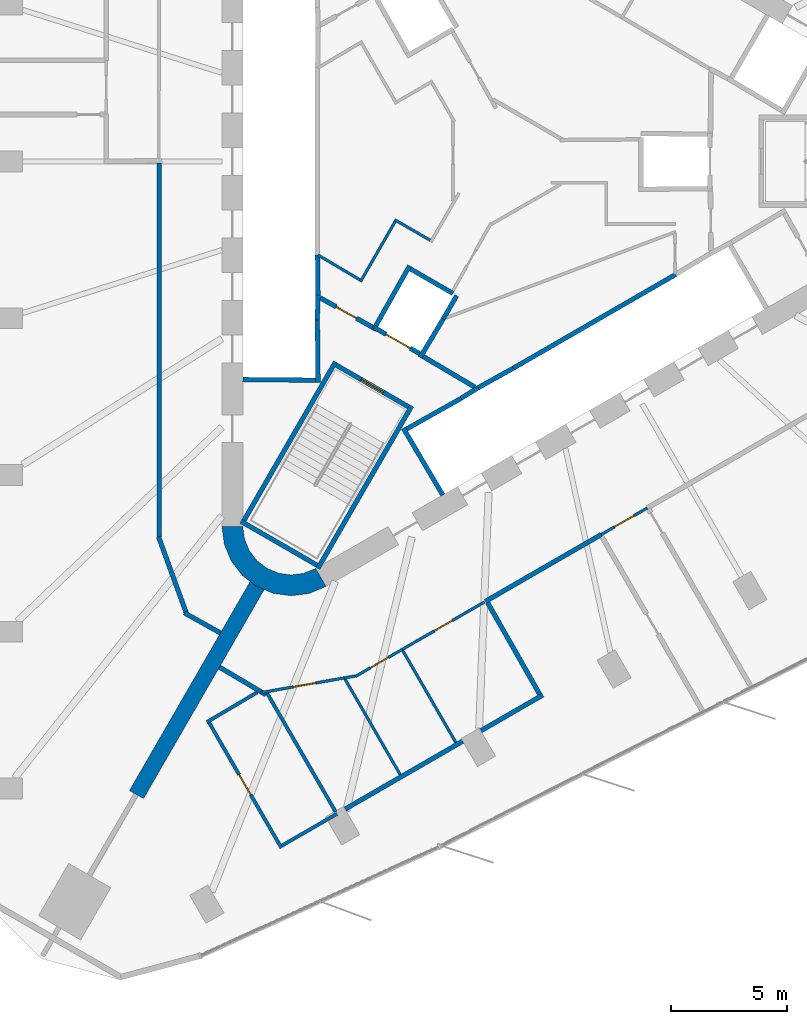
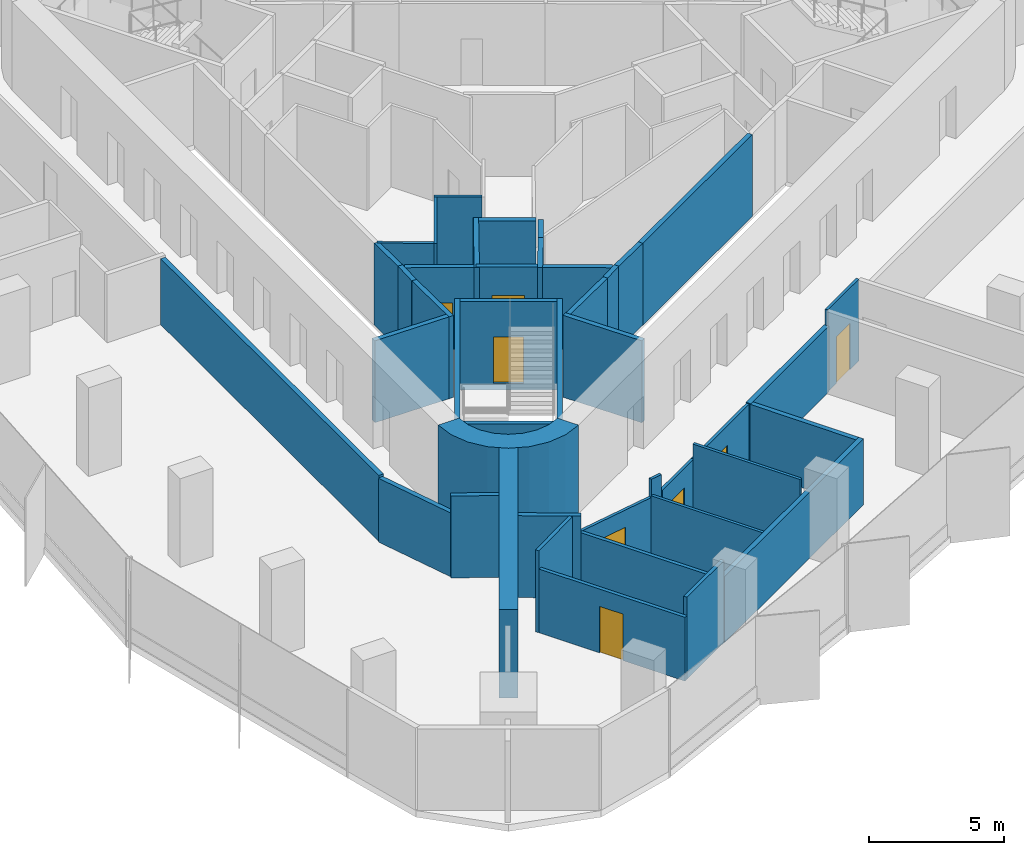
# One storey, part 8 of 14: 43 walls, 8 doors, 8 openings.
"""IFC4 building model written with IfcOpenShell, lengths in metres."""

from ifc_helpers import new_model, si_unit, direction, frame, frame_2d, origin, place, context, subcontext, project, spatial, polyline, rectangle, outline, extrude, material, layer, layer_set, type_object, element, fill, save


model = new_model("IFC4")

# Units and contexts
model_context = context("Model", 3, precision=1e-05, world=origin(), true_north=direction((0.0, 1.0)))
body_context = subcontext(model_context, "Body", "Model", "MODEL_VIEW")
ifc_project = project(units=[si_unit("LENGTHUNIT", "METRE"), si_unit("AREAUNIT", "SQUARE_METRE"), si_unit("VOLUMEUNIT", "CUBIC_METRE"), si_unit("PLANEANGLEUNIT", "RADIAN"), si_unit("MASSUNIT", "GRAM", prefix="KILO")], contexts=[model_context])

# Site, building, storey
site_placement = place(None, origin())
site = spatial("IfcSite", under=ifc_project, at=site_placement, CompositionType="ELEMENT")
building_placement = place(site_placement, origin())
building = spatial("IfcBuilding", under=site, at=building_placement, Name="Tanit Gate Tower", CompositionType="ELEMENT")
storey_placement = place(building_placement, frame((0.0, 0.0, 261.199951171875)))
storey = spatial("IfcBuildingStorey", under=building, at=storey_placement, Name="L59", CompositionType="ELEMENT", Elevation=261.199951171875)

# Walls
ifc_material_1 = material(Name="Concrete C50/60", Category="concrete")
ifc_layer_1 = layer(ifc_material_1, 0.699951171875)
ifc_layer_set_1 = layer_set([ifc_layer_1], Name="BUTTRESS FIN 700 C50/60")
wall_type_1 = type_object("IfcWallType", Name="BUTTRESS FIN 700 C50/60", PredefinedType="SHEAR", material=ifc_layer_set_1)
wall_1_placement = place(storey_placement, frame((-10.574951171875, -18.31640625, 0.0), z_axis=(0.0, 0.0, 1.0), x_axis=(-0.500010108608, -0.866019567498, 0.0)))
element("IfcWall", 1, at=wall_1_placement, inside=storey, type_object=wall_type_1, Name="BUTTRESS FIN", PredefinedType="SHEAR", context=body_context, shape_type="SweptSolid", body=[
    extrude(rectangle(XDim=10.432373046875, YDim=0.699951171875, at=frame_2d((5.21630859375, 0.0))), origin(), (0.0, 0.0, 1.0), 4.0),
])
ifc_material_2 = material(Name="Concrete C50/60", Category="concrete")
ifc_layer_2 = layer(ifc_material_2, 0.89990234375)
ifc_layer_set_2 = layer_set([ifc_layer_2], Name="CORE WALL 900 C50/60")
wall_type_2 = type_object("IfcWallType", Name="CORE WALL 900 C50/60", PredefinedType="SHEAR", material=ifc_layer_set_2)
wall_2_placement = place(storey_placement, origin())
element("IfcWall", 2, at=wall_2_placement, inside=storey, type_object=wall_type_2, Name="CORE WALL CORNER", PredefinedType="SHEAR", context=body_context, shape_type="SweptSolid", body=[
    extrude(outline(polyline([(-12.10009765625, -15.76171875), (-11.997802734375, -16.5380859375), (-11.697998046875, -17.26171875), (-11.22119140625, -17.883056640625), (-10.60009765625, -18.359619140625), (-9.87646484375, -18.659423828125), (-9.10009765625, -18.76171875), (-8.323486328125, -18.659423828125), (-7.60009765625, -18.359619140625), (-8.050048828125, -17.580322265625), (-8.556396484375, -17.7900390625), (-9.10009765625, -17.86181640625), (-9.6435546875, -17.7900390625), (-10.14990234375, -17.580322265625), (-10.5849609375, -17.24658203125), (-10.918701171875, -16.811767578125), (-11.12841796875, -16.30517578125), (-11.199951171875, -15.76171875), (-12.10009765625, -15.76171875)])), origin(), (0.0, 0.0, 1.0), 4.0),
])
ifc_material_3 = material(Name="Fire-rated gypsum board partition")
ifc_layer_3 = layer(ifc_material_3, 0.199951171875)
ifc_layer_set_3 = layer_set([ifc_layer_3], Name="INT-WALL-COMPARTMENT")
wall_type_3 = type_object("IfcWallType", Name="INT-WALL-COMPARTMENT", PredefinedType="PARTITIONING", material=ifc_layer_set_3)
wall_3_placement = place(storey_placement, frame((-3.400634765625, -8.43017578125, 0.0), z_axis=(0.0, 0.0, 1.0), x_axis=(0.860615607571, -0.509255118781, 0.0)))
element("IfcWall", 3, at=wall_3_placement, inside=storey, type_object=wall_type_3, Name="Wall Compartment W066", PredefinedType="PARTITIONING", context=body_context, shape_type="SweptSolid", body=[
    extrude(rectangle(XDim=2.58056640625, YDim=0.199951171875, at=frame_2d((1.290283203125, 0.0))), origin(), (0.0, 0.0, 1.0), 3.699951171875),
])

# Wall, opening, door
wall_4_placement = place(storey_placement, frame((-7.849365234375, -5.893798828125, 0.0), z_axis=(0.0, 0.0, 1.0), x_axis=(0.871363259478, -0.490638431059, 0.0)))
wall_4 = element("IfcWall", 4, at=wall_4_placement, inside=storey, type_object=wall_type_3, Name="Wall Compartment W067", PredefinedType="PARTITIONING", context=body_context, shape_type="SweptSolid", body=[
    extrude(rectangle(XDim=2.5810546875, YDim=0.199951171875, at=frame_2d((1.29052734375, 0.0))), origin(), (0.0, 0.0, 1.0), 3.699951171875),
])
opening_1_placement = place(wall_4_placement, frame((0.79052734375, 0.0, 0.0)))
opening_1 = element("IfcOpeningElement", 5, at=opening_1_placement, cuts=wall_4, Name="Opening F10-S16-08", PredefinedType="OPENING", context=body_context, shape_type="SweptSolid", body=[
    extrude(rectangle(XDim=1.0, YDim=2.10009765625, at=frame_2d((0.5, 1.050048828125))), frame((0.0, 0.10986328125, 0.0), z_axis=(0.0, -1.0, 0.0), x_axis=(1.0, 0.0, 0.0)), (0.0, 0.0, 1.0), 0.219970703125),
])
ifc_material_4 = material(Name="Fire-rated steel door leaf", Category="steel")
door_type_1 = type_object("IfcDoorType", Name="INT-DOOR-FIRE-1000", OperationType="NOTDEFINED", PredefinedType="USERDEFINED", material=ifc_material_4)
door_1_placement = place(opening_1_placement, origin())
door_1 = element("IfcDoor", 6, at=door_1_placement, inside=storey, type_object=door_type_1, Name="Door F10-S16-08", ObjectType="FIRE DOOR", OperationType="SINGLE_SWING_RIGHT", OverallHeight=2.10009765625, OverallWidth=1.0, PredefinedType="USERDEFINED", context=body_context, shape_type="SweptSolid", body=[
    extrude(rectangle(XDim=1.0, YDim=2.10009765625, at=frame_2d((0.5, 1.050048828125))), frame((0.0, 0.02490234375, 0.0), z_axis=(0.0, -1.0, 0.0), x_axis=(1.0, 0.0, 0.0)), (0.0, 0.0, 1.0), 0.050048828125),
])
fill(opening_1, door_1)

# Walls
wall_5_placement = place(storey_placement, frame((-13.722412109375, -19.499267578125, 0.0), z_axis=(0.0, 0.0, 1.0), x_axis=(0.873381780332, -0.487036205824, 0.0)))
element("IfcWall", 7, at=wall_5_placement, inside=storey, type_object=wall_type_3, Name="Wall Compartment W096", PredefinedType="PARTITIONING", context=body_context, shape_type="SweptSolid", body=[
    extrude(rectangle(XDim=1.78466796875, YDim=0.199951171875, at=frame_2d((0.892333984375, 0.0))), origin(), (0.0, 0.0, 1.0), 3.699951171875),
])
wall_6_placement = place(storey_placement, frame((-14.834228515625, -16.22314453125, 0.0), z_axis=(0.0, 0.0, 1.0), x_axis=(0.342017717312, -0.939693503779, 0.0)))
element("IfcWall", 8, at=wall_6_placement, inside=storey, type_object=wall_type_3, Name="Wall Compartment W097", PredefinedType="PARTITIONING", context=body_context, shape_type="SweptSolid", body=[
    extrude(rectangle(XDim=3.4970703125, YDim=0.199951171875, at=frame_2d((1.74853515625, 0.0))), origin(), (0.0, 0.0, 1.0), 2.880126953125),
])
wall_7_placement = place(storey_placement, frame((-14.800048828125, -0.070068359375, 0.0), z_axis=(0.0, 0.0, 1.0), x_axis=(0.0, -1.0, 0.0)))
element("IfcWall", 9, at=wall_7_placement, inside=storey, type_object=wall_type_3, Name="Wall Compartment W098", PredefinedType="PARTITIONING", context=body_context, shape_type="SweptSolid", body=[
    extrude(rectangle(XDim=16.14697265625, YDim=0.199951171875, at=frame_2d((8.073486328125, 0.0))), origin(), (0.0, 0.0, 1.0), 2.97998046875),
])
wall_8_placement = place(storey_placement, frame((-0.722900390625, -19.008056640625, 0.0), z_axis=(0.0, 0.0, 1.0), x_axis=(0.866014659605, 0.500018609004, 0.0)))
element("IfcWall", 10, at=wall_8_placement, inside=storey, type_object=wall_type_3, Name="Wall Compartment W115", PredefinedType="PARTITIONING", context=body_context, shape_type="SweptSolid", body=[
    extrude(rectangle(XDim=5.780029296875, YDim=0.199951171875, at=frame_2d((2.89013671875, 0.0))), origin(), (0.0, 0.0, 1.0), 2.97998046875),
])
wall_9_placement = place(storey_placement, frame((-12.207275390625, -21.843505859375, 0.0), z_axis=(0.0, 0.0, 1.0), x_axis=(0.859839010211, -0.510565251971, 0.0)))
element("IfcWall", 11, at=wall_9_placement, inside=storey, type_object=wall_type_3, Name="Wall Compartment W114", PredefinedType="PARTITIONING", context=body_context, shape_type="SweptSolid", body=[
    extrude(rectangle(XDim=2.341552734375, YDim=0.199951171875, at=frame_2d((1.1708984375, 0.0))), origin(), (0.0, 0.0, 1.0), 3.699951171875),
])
wall_10_placement = place(storey_placement, frame((1.759765625, -23.0478515625, 0.0), z_axis=(0.0, 0.0, 1.0), x_axis=(-0.866021621257, -0.500006551472, 0.0)))
element("IfcWall", 12, at=wall_10_placement, inside=storey, type_object=wall_type_3, Name="Wall Compartment W139", PredefinedType="PARTITIONING", context=body_context, shape_type="SweptSolid", body=[
    extrude(rectangle(XDim=10.265380859375, YDim=0.199951171875, at=frame_2d((5.1328125, 0.0))), origin(), (0.0, 0.0, 1.0), 2.97998046875),
])
wall_11_placement = place(storey_placement, frame((1.623779296875, -23.010986328125, 0.0), z_axis=(0.0, 0.0, 1.0), x_axis=(-0.49451654464, 0.869168215639, 0.0)))
element("IfcWall", 13, at=wall_11_placement, inside=storey, type_object=wall_type_3, Name="Wall Compartment W140", PredefinedType="PARTITIONING", context=body_context, shape_type="SweptSolid", body=[
    extrude(rectangle(XDim=4.5400390625, YDim=0.199951171875, at=frame_2d((2.27001953125, 0.0))), origin(), (0.0, 0.0, 1.0), 2.97998046875),
])
ifc_material_5 = material(Name="Gypsum board partition")
ifc_layer_4 = layer(ifc_material_5, 0.1201171875)
ifc_layer_set_4 = layer_set([ifc_layer_4], Name="INT-WALL-PARTITION")
wall_type_4 = type_object("IfcWallType", Name="INT-WALL-PARTITION", PredefinedType="PARTITIONING", material=ifc_layer_set_4)
wall_12_placement = place(storey_placement, frame((-4.64013671875, -2.51708984375, 0.0), z_axis=(0.0, 0.0, 1.0), x_axis=(0.866025242659, -0.500000279077, 0.0)))
element("IfcWall", 14, at=wall_12_placement, inside=storey, type_object=wall_type_4, Name="Wall Partition W084", PredefinedType="PARTITIONING", context=body_context, shape_type="SweptSolid", body=[
    extrude(rectangle(XDim=1.77490234375, YDim=0.1201171875, at=frame_2d((0.887451171875, 0.0))), origin(), (0.0, 0.0, 1.0), 3.699951171875),
])
wall_13_placement = place(storey_placement, frame((-6.1181640625, -5.197265625, 0.0), z_axis=(0.0, 0.0, 1.0), x_axis=(0.499990139034, 0.866031096941, 0.0)))
element("IfcWall", 15, at=wall_13_placement, inside=storey, type_object=wall_type_4, Name="Wall Partition W085", PredefinedType="PARTITIONING", context=body_context, shape_type="SweptSolid", body=[
    extrude(rectangle(XDim=3.0, YDim=0.1201171875, at=frame_2d((1.5, 0.0))), origin(), (0.0, 0.0, 1.0), 3.699951171875),
])
wall_14_placement = place(storey_placement, frame((-7.949951171875, -4.041015625, 0.0), z_axis=(0.0, 0.0, 1.0), x_axis=(0.860112457103, -0.510104461004, 0.0)))
element("IfcWall", 16, at=wall_14_placement, inside=storey, type_object=wall_type_4, Name="Wall Partition W086", PredefinedType="PARTITIONING", context=body_context, shape_type="SweptSolid", body=[
    extrude(rectangle(XDim=2.1044921875, YDim=0.1201171875, at=frame_2d((1.05224609375, 0.0))), origin(), (0.0, 0.0, 1.0), 3.699951171875),
])

# Wall, opening, door
wall_15_placement = place(storey_placement, frame((-6.33154296875, -22.24609375, 0.0), z_axis=(0.0, 0.0, 1.0), x_axis=(0.866059848015, 0.499940336097, 0.0)))
wall_15 = element("IfcWall", 17, at=wall_15_placement, inside=storey, type_object=wall_type_4, Name="Wall Partition W117", PredefinedType="PARTITIONING", context=body_context, shape_type="SweptSolid", body=[
    extrude(rectangle(XDim=2.327880859375, YDim=0.1201171875, at=frame_2d((1.1640625, 0.0))), origin(), (0.0, 0.0, 1.0), 2.97998046875),
])
opening_2_placement = place(wall_15_placement, frame((0.743896484375, 0.0, 0.0)))
opening_2 = element("IfcOpeningElement", 18, at=opening_2_placement, cuts=wall_15, Name="Opening D09-S16-24", PredefinedType="OPENING", context=body_context, shape_type="SweptSolid", body=[
    extrude(rectangle(XDim=0.89990234375, YDim=2.10009765625, at=frame_2d((0.449951171875, 1.050048828125))), frame((0.0, 0.070068359375, 0.0), z_axis=(0.0, -1.0, 0.0), x_axis=(1.0, 0.0, 0.0)), (0.0, 0.0, 1.0), 0.14013671875),
])
ifc_material_6 = material(Name="Timber door leaf", Category="wood")
door_type_2 = type_object("IfcDoorType", Name="INT-DOOR-SINGLE-900", OperationType="NOTDEFINED", PredefinedType="NOTDEFINED", material=ifc_material_6)
door_2_placement = place(opening_2_placement, origin())
door_2 = element("IfcDoor", 19, at=door_2_placement, inside=storey, type_object=door_type_2, Name="Door D09-S16-24", OperationType="SINGLE_SWING_LEFT", OverallHeight=2.10009765625, OverallWidth=0.89990234375, PredefinedType="NOTDEFINED", context=body_context, shape_type="SweptSolid", body=[
    extrude(rectangle(XDim=0.89990234375, YDim=2.10009765625, at=frame_2d((0.449951171875, 1.050048828125))), frame((0.0, 0.02490234375, 0.0), z_axis=(0.0, -1.0, 0.0), x_axis=(1.0, 0.0, 0.0)), (0.0, 0.0, 1.0), 0.050048828125),
])
fill(opening_2, door_2)

wall_16_placement = place(storey_placement, frame((-4.3154296875, -21.082275390625, 0.0), z_axis=(0.0, 0.0, 1.0), x_axis=(0.866018339482, 0.500012235531, 0.0)))
wall_16 = element("IfcWall", 20, at=wall_16_placement, inside=storey, type_object=wall_type_4, Name="Wall Partition W116", PredefinedType="PARTITIONING", context=body_context, shape_type="SweptSolid", body=[
    extrude(rectangle(XDim=4.1083984375, YDim=0.1201171875, at=frame_2d((2.05419921875, 0.0))), origin(), (0.0, 0.0, 1.0), 2.97998046875),
])
opening_3_placement = place(wall_16_placement, frame((1.604248046875, 0.0, 0.0)))
opening_3 = element("IfcOpeningElement", 21, at=opening_3_placement, cuts=wall_16, Name="Opening D09-S16-23", PredefinedType="OPENING", context=body_context, shape_type="SweptSolid", body=[
    extrude(rectangle(XDim=0.89990234375, YDim=2.10009765625, at=frame_2d((0.449951171875, 1.050048828125))), frame((0.0, 0.070068359375, 0.0), z_axis=(0.0, -1.0, 0.0), x_axis=(1.0, 0.0, 0.0)), (0.0, 0.0, 1.0), 0.14013671875),
])
door_3_placement = place(opening_3_placement, origin())
door_3 = element("IfcDoor", 22, at=door_3_placement, inside=storey, type_object=door_type_2, Name="Door D09-S16-23", OperationType="SINGLE_SWING_LEFT", OverallHeight=2.10009765625, OverallWidth=0.89990234375, PredefinedType="NOTDEFINED", context=body_context, shape_type="SweptSolid", body=[
    extrude(rectangle(XDim=0.89990234375, YDim=2.10009765625, at=frame_2d((0.449951171875, 1.050048828125))), frame((0.0, 0.02490234375, 0.0), z_axis=(0.0, -1.0, 0.0), x_axis=(1.0, 0.0, 0.0)), (0.0, 0.0, 1.0), 0.050048828125),
])
fill(opening_3, door_3)

wall_17_placement = place(storey_placement, frame((4.28271484375, -16.117919921875, 0.0), z_axis=(0.0, 0.0, 1.0), x_axis=(0.866053019151, 0.499952165731, 0.0)))
wall_17 = element("IfcWall", 23, at=wall_17_placement, inside=storey, type_object=wall_type_4, Name="Wall Partition W109", PredefinedType="PARTITIONING", context=body_context, shape_type="SweptSolid", body=[
    extrude(rectangle(XDim=2.300048828125, YDim=0.1201171875, at=frame_2d((1.14990234375, 0.0))), origin(), (0.0, 0.0, 1.0), 3.699951171875),
])
opening_4_placement = place(wall_17_placement, frame((0.64990234375, 0.0, 0.0)))
opening_4 = element("IfcOpeningElement", 24, at=opening_4_placement, cuts=wall_17, Name="Opening D10-S16-22", PredefinedType="OPENING", context=body_context, shape_type="SweptSolid", body=[
    extrude(rectangle(XDim=1.0, YDim=2.10009765625, at=frame_2d((0.5, 1.050048828125))), frame((0.0, 0.070068359375, 0.0), z_axis=(0.0, -1.0, 0.0), x_axis=(1.0, 0.0, 0.0)), (0.0, 0.0, 1.0), 0.14013671875),
])
ifc_material_7 = material(Name="Timber door leaf", Category="wood")
door_type_3 = type_object("IfcDoorType", Name="INT-DOOR-SINGLE-1000", OperationType="NOTDEFINED", PredefinedType="NOTDEFINED", material=ifc_material_7)
door_4_placement = place(opening_4_placement, origin())
door_4 = element("IfcDoor", 25, at=door_4_placement, inside=storey, type_object=door_type_3, Name="Door D10-S16-22", OperationType="SINGLE_SWING_LEFT", OverallHeight=2.10009765625, OverallWidth=1.0, PredefinedType="NOTDEFINED", context=body_context, shape_type="SweptSolid", body=[
    extrude(rectangle(XDim=1.0, YDim=2.10009765625, at=frame_2d((0.5, 1.050048828125))), frame((0.0, 0.02490234375, 0.0), z_axis=(0.0, -1.0, 0.0), x_axis=(1.0, 0.0, 0.0)), (0.0, 0.0, 1.0), 0.050048828125),
])
fill(opening_4, door_4)

wall_18_placement = place(storey_placement, frame((-10.44775390625, -22.951171875, 0.0), z_axis=(0.0, 0.0, 1.0), x_axis=(0.984811576761, 0.173626490713, 0.0)))
wall_18 = element("IfcWall", 26, at=wall_18_placement, inside=storey, type_object=wall_type_4, Name="Wall Partition W119", PredefinedType="PARTITIONING", context=body_context, shape_type="SweptSolid", body=[
    extrude(rectangle(XDim=3.6826171875, YDim=0.1201171875, at=frame_2d((1.84130859375, 0.0))), origin(), (0.0, 0.0, 1.0), 2.880126953125),
])
opening_5_placement = place(wall_18_placement, frame((1.44384765625, 0.0, 0.0)))
opening_5 = element("IfcOpeningElement", 27, at=opening_5_placement, cuts=wall_18, Name="Opening D10-S16-25", PredefinedType="OPENING", context=body_context, shape_type="SweptSolid", body=[
    extrude(rectangle(XDim=1.0, YDim=2.10009765625, at=frame_2d((0.5, 1.050048828125))), frame((0.0, 0.070068359375, 0.0), z_axis=(0.0, -1.0, 0.0), x_axis=(1.0, 0.0, 0.0)), (0.0, 0.0, 1.0), 0.14013671875),
])
door_5_placement = place(opening_5_placement, origin())
door_5 = element("IfcDoor", 28, at=door_5_placement, inside=storey, type_object=door_type_3, Name="Door D10-S16-25", OperationType="SINGLE_SWING_LEFT", OverallHeight=2.10009765625, OverallWidth=1.0, PredefinedType="NOTDEFINED", context=body_context, shape_type="SweptSolid", body=[
    extrude(rectangle(XDim=1.0, YDim=2.10009765625, at=frame_2d((0.5, 1.050048828125))), frame((0.0, 0.02490234375, 0.0), z_axis=(0.0, -1.0, 0.0), x_axis=(1.0, 0.0, 0.0)), (0.0, 0.0, 1.0), 0.050048828125),
])
fill(opening_5, door_5)

# Walls
wall_19_placement = place(storey_placement, frame((-6.821044921875, -22.311767578125, 0.0), z_axis=(0.0, 0.0, 1.0), x_axis=(0.984758463347, 0.173927481634, 0.0)))
element("IfcWall", 29, at=wall_19_placement, inside=storey, type_object=wall_type_4, Name="Wall Partition W118", PredefinedType="PARTITIONING", context=body_context, shape_type="SweptSolid", body=[
    extrude(rectangle(XDim=0.489990234375, YDim=0.1201171875, at=frame_2d((0.2451171875, 0.0))), origin(), (0.0, 0.0, 1.0), 3.699951171875),
])
wall_20_placement = place(storey_placement, frame((-4.285400390625, -21.134033203125, 0.0), z_axis=(0.0, 0.0, 1.0), x_axis=(0.49999161165, -0.866030246746, 0.0)))
element("IfcWall", 30, at=wall_20_placement, inside=storey, type_object=wall_type_4, Name="Wall Partition W146", PredefinedType="PARTITIONING", context=body_context, shape_type="SweptSolid", body=[
    extrude(rectangle(XDim=4.580078125, YDim=0.1201171875, at=frame_2d((2.2900390625, 0.0))), origin(), (0.0, 0.0, 1.0), 3.699951171875),
])
wall_21_placement = place(storey_placement, frame((-4.39892578125, -26.48828125, 0.0), z_axis=(0.0, 0.0, 1.0), x_axis=(-0.499988794591, 0.866031873134, 0.0)))
element("IfcWall", 31, at=wall_21_placement, inside=storey, type_object=wall_type_4, Name="Wall Partition W147", PredefinedType="PARTITIONING", context=body_context, shape_type="SweptSolid", body=[
    extrude(rectangle(XDim=4.7607421875, YDim=0.1201171875, at=frame_2d((2.38037109375, 0.0))), origin(), (0.0, 0.0, 1.0), 2.97998046875),
])
ifc_material_8 = material(Name="Fire-rated gypsum board partition")
ifc_layer_5 = layer(ifc_material_8, 0.14990234375)
ifc_layer_set_5 = layer_set([ifc_layer_5], Name="INT-WALL-RISER")
wall_type_5 = type_object("IfcWallType", Name="INT-WALL-RISER", PredefinedType="PLUMBINGWALL", material=ifc_layer_set_5)
wall_22_placement = place(storey_placement, frame((-10.57421875, -22.930419921875, 0.0), z_axis=(0.0, 0.0, 1.0), x_axis=(-0.86012706177, -0.510079834547, 0.0)))
element("IfcWall", 32, at=wall_22_placement, inside=storey, type_object=wall_type_5, Name="Wall Riser W143", PredefinedType="PLUMBINGWALL", context=body_context, shape_type="SweptSolid", body=[
    extrude(rectangle(XDim=2.532470703125, YDim=0.14990234375, at=frame_2d((1.26611328125, 0.0))), origin(), (0.0, 0.0, 1.0), 3.699951171875),
])

# Wall, opening, door
wall_23_placement = place(storey_placement, frame((-12.650390625, -24.2490234375, 0.0), z_axis=(0.0, 0.0, 1.0), x_axis=(0.500027264788, -0.866009661879, 0.0)))
wall_23 = element("IfcWall", 33, at=wall_23_placement, inside=storey, type_object=wall_type_5, Name="Wall Riser W144", PredefinedType="PLUMBINGWALL", context=body_context, shape_type="SweptSolid", body=[
    extrude(rectangle(XDim=6.239990234375, YDim=0.14990234375, at=frame_2d((3.1201171875, 0.0))), origin(), (0.0, 0.0, 1.0), 2.880126953125),
])
opening_6_placement = place(wall_23_placement, frame((2.58251953125, 0.0, 0.0)))
opening_6 = element("IfcOpeningElement", 34, at=opening_6_placement, cuts=wall_23, Name="Opening F10-S16-26", PredefinedType="OPENING", context=body_context, shape_type="SweptSolid", body=[
    extrude(rectangle(XDim=1.0, YDim=2.10009765625, at=frame_2d((0.5, 1.050048828125))), frame((0.0, 0.0849609375, 0.0), z_axis=(0.0, -1.0, 0.0), x_axis=(1.0, 0.0, 0.0)), (0.0, 0.0, 1.0), 0.169921875),
])
door_6_placement = place(opening_6_placement, origin())
door_6 = element("IfcDoor", 35, at=door_6_placement, inside=storey, type_object=door_type_1, Name="Door F10-S16-26", ObjectType="FIRE DOOR", OperationType="SINGLE_SWING_RIGHT", OverallHeight=2.10009765625, OverallWidth=1.0, PredefinedType="USERDEFINED", context=body_context, shape_type="SweptSolid", body=[
    extrude(rectangle(XDim=1.0, YDim=2.10009765625, at=frame_2d((0.5, 1.050048828125))), frame((0.0, 0.02490234375, 0.0), z_axis=(0.0, -1.0, 0.0), x_axis=(1.0, 0.0, 0.0)), (0.0, 0.0, 1.0), 0.050048828125),
])
fill(opening_6, door_6)

# Walls
wall_24_placement = place(storey_placement, frame((-7.13037109375, -28.1806640625, 0.0), z_axis=(0.0, 0.0, 1.0), x_axis=(-0.866013438122, -0.500020724563, 0.0)))
element("IfcWall", 36, at=wall_24_placement, inside=storey, type_object=wall_type_5, Name="Wall Riser W145", PredefinedType="PLUMBINGWALL", context=body_context, shape_type="SweptSolid", body=[
    extrude(rectangle(XDim=2.73974609375, YDim=0.14990234375, at=frame_2d((1.369873046875, 0.0))), origin(), (0.0, 0.0, 1.0), 3.699951171875),
])
wall_25_placement = place(storey_placement, frame((-10.153076171875, -22.960205078125, 0.0), z_axis=(0.0, 0.0, 1.0), x_axis=(0.500025256787, -0.866010821281, 0.0)))
element("IfcWall", 37, at=wall_25_placement, inside=storey, type_object=wall_type_5, Name="Wall Riser W148", PredefinedType="PLUMBINGWALL", context=body_context, shape_type="SweptSolid", body=[
    extrude(rectangle(XDim=5.932373046875, YDim=0.14990234375, at=frame_2d((2.96630859375, 0.0))), origin(), (0.0, 0.0, 1.0), 2.880126953125),
])
ifc_material_9 = material(Name="Gypsum shaft wall system")
ifc_layer_6 = layer(ifc_material_9, 0.199951171875)
ifc_layer_set_6 = layer_set([ifc_layer_6], Name="INT-WALL-SHAFT")
wall_type_6 = type_object("IfcWallType", Name="INT-WALL-SHAFT", PredefinedType="PLUMBINGWALL", material=ifc_layer_set_6)
wall_26_placement = place(storey_placement, frame((-7.949951171875, -5.7724609375, 0.0), z_axis=(0.0, 0.0, 1.0), x_axis=(-0.030803413295, -0.999525462272, 0.0)))
element("IfcWall", 38, at=wall_26_placement, inside=storey, type_object=wall_type_6, Name="Wall Shaft W008", PredefinedType="PLUMBINGWALL", context=body_context, shape_type="SweptSolid", body=[
    extrude(rectangle(XDim=1.077880859375, YDim=0.199951171875, at=frame_2d((0.5390625, 0.0))), origin(), (0.0, 0.0, 1.0), 3.699951171875),
])
wall_27_placement = place(storey_placement, frame((-7.971435546875, -4.050048828125, 0.0), z_axis=(0.0, 0.0, 1.0), x_axis=(0.012042535896, -0.999927486035, 0.0)))
element("IfcWall", 39, at=wall_27_placement, inside=storey, type_object=wall_type_6, Name="Wall Shaft W009", PredefinedType="PLUMBINGWALL", context=body_context, shape_type="SweptSolid", body=[
    extrude(rectangle(XDim=1.844970703125, YDim=0.199951171875, at=frame_2d((0.92236328125, 0.0))), origin(), (0.0, 0.0, 1.0), 3.699951171875),
])
wall_28_placement = place(storey_placement, frame((-7.97900390625, -6.85009765625, 0.0), z_axis=(0.0, 0.0, 1.0), x_axis=(0.011121475088, -0.999938154483, 0.0)))
element("IfcWall", 40, at=wall_28_placement, inside=storey, type_object=wall_type_6, Name="Wall Shaft W010", PredefinedType="PLUMBINGWALL", context=body_context, shape_type="SweptSolid", body=[
    extrude(rectangle(XDim=2.7001953125, YDim=0.199951171875, at=frame_2d((1.35009765625, 0.0))), origin(), (0.0, 0.0, 1.0), 3.699951171875),
])
wall_29_placement = place(storey_placement, frame((-8.050048828125, -9.448974609375, 0.0), z_axis=(0.0, 0.0, 1.0), x_axis=(-0.999957467379, 0.009222983926, 0.0)))
element("IfcWall", 41, at=wall_29_placement, inside=storey, type_object=wall_type_6, Name="Wall Shaft W011", PredefinedType="PLUMBINGWALL", context=body_context, shape_type="SweptSolid", body=[
    extrude(rectangle(XDim=3.150146484375, YDim=0.199951171875, at=frame_2d((1.5751953125, 0.0))), origin(), (0.0, 0.0, 1.0), 3.699951171875),
])
wall_30_placement = place(storey_placement, frame((0.482666015625, -8.935791015625, 0.0), z_axis=(0.0, 0.0, 1.0), x_axis=(0.866030989016, 0.499990325971, 0.0)))
element("IfcWall", 42, at=wall_30_placement, inside=storey, type_object=wall_type_6, Name="Wall Shaft W023", PredefinedType="PLUMBINGWALL", context=body_context, shape_type="SweptSolid", body=[
    extrude(rectangle(XDim=8.099853515625, YDim=0.199951171875, at=frame_2d((4.0498046875, 0.0))), origin(), (0.0, 0.0, 1.0), 3.699951171875),
])
wall_31_placement = place(storey_placement, frame((-2.557861328125, -14.409423828125, 0.0), z_axis=(0.0, 0.0, 1.0), x_axis=(-0.507997497166, 0.861358544901, 0.0)))
element("IfcWall", 43, at=wall_31_placement, inside=storey, type_object=wall_type_6, Name="Wall Shaft W019", PredefinedType="PLUMBINGWALL", context=body_context, shape_type="SweptSolid", body=[
    extrude(rectangle(XDim=3.350341796875, YDim=0.199951171875, at=frame_2d((1.67529296875, 0.0))), origin(), (0.0, 0.0, 1.0), 3.699951171875),
])
wall_32_placement = place(storey_placement, frame((-1.7685546875, -10.23681640625, 0.0), z_axis=(0.0, 0.0, 1.0), x_axis=(-0.871534483978, -0.490334215854, 0.0)))
element("IfcWall", 44, at=wall_32_placement, inside=storey, type_object=wall_type_6, Name="Wall Shaft W020", PredefinedType="PLUMBINGWALL", context=body_context, shape_type="SweptSolid", body=[
    extrude(rectangle(XDim=2.7001953125, YDim=0.199951171875, at=frame_2d((1.35009765625, 0.0))), origin(), (0.0, 0.0, 1.0), 3.699951171875),
])
wall_33_placement = place(storey_placement, frame((-1.02392578125, -9.77099609375, 0.0), z_axis=(0.0, 0.0, 1.0), x_axis=(-0.850348075135, -0.526220629693, 0.0)))
element("IfcWall", 45, at=wall_33_placement, inside=storey, type_object=wall_type_6, Name="Wall Shaft W021", PredefinedType="PLUMBINGWALL", context=body_context, shape_type="SweptSolid", body=[
    extrude(rectangle(XDim=0.878173828125, YDim=0.199951171875, at=frame_2d((0.43896484375, 0.0))), origin(), (0.0, 0.0, 1.0), 3.699951171875),
])
wall_34_placement = place(storey_placement, frame((-1.130126953125, -9.831298828125, 0.0), z_axis=(0.0, 0.0, 1.0), x_axis=(0.874269620932, 0.485440655401, 0.0)))
element("IfcWall", 46, at=wall_34_placement, inside=storey, type_object=wall_type_6, Name="Wall Shaft W022", PredefinedType="PLUMBINGWALL", context=body_context, shape_type="SweptSolid", body=[
    extrude(rectangle(XDim=1.8447265625, YDim=0.199951171875, at=frame_2d((0.92236328125, 0.0))), origin(), (0.0, 0.0, 1.0), 3.699951171875),
])

# Wall, opening, door
wall_35_placement = place(storey_placement, frame((-3.44580078125, -8.3681640625, 0.0), z_axis=(0.0, 0.0, 1.0), x_axis=(-0.866024647952, 0.500001309137, 0.0)))
wall_35 = element("IfcWall", 47, at=wall_35_placement, inside=storey, type_object=wall_type_6, Name="Wall Shaft W045", PredefinedType="PLUMBINGWALL", context=body_context, shape_type="SweptSolid", body=[
    extrude(rectangle(XDim=2.39990234375, YDim=0.199951171875, at=frame_2d((1.199951171875, 0.0))), origin(), (0.0, 0.0, 1.0), 3.699951171875),
])
opening_7_placement = place(wall_35_placement, frame((0.60009765625, 0.0, 0.0)))
opening_7 = element("IfcOpeningElement", 48, at=opening_7_placement, cuts=wall_35, Name="Opening LDFL3-L59", PredefinedType="OPENING", context=body_context, shape_type="SweptSolid", body=[
    extrude(rectangle(XDim=1.199951171875, YDim=2.39990234375, at=frame_2d((0.60009765625, 1.199951171875))), frame((0.0, 0.10986328125, 0.0), z_axis=(0.0, -1.0, 0.0), x_axis=(1.0, 0.0, 0.0)), (0.0, 0.0, 1.0), 0.219970703125),
])
ifc_material_10 = material(Name="Stainless steel sliding door leaf", Category="steel")
door_type_4 = type_object("IfcDoorType", Name="INT-DOOR-LANDING-1200", OperationType="NOTDEFINED", PredefinedType="USERDEFINED", material=ifc_material_10)
door_7_placement = place(opening_7_placement, origin())
door_7 = element("IfcDoor", 49, at=door_7_placement, inside=storey, type_object=door_type_4, Name="Door LDFL3-L59", ObjectType="LANDING DOOR", OperationType="SLIDING_TO_LEFT", OverallHeight=2.39990234375, OverallWidth=1.199951171875, PredefinedType="USERDEFINED", context=body_context, shape_type="SweptSolid", body=[
    extrude(rectangle(XDim=1.199951171875, YDim=2.39990234375, at=frame_2d((0.60009765625, 1.199951171875))), frame((0.0, 0.02490234375, 0.0), z_axis=(0.0, -1.0, 0.0), x_axis=(1.0, 0.0, 0.0)), (0.0, 0.0, 1.0), 0.050048828125),
])
fill(opening_7, door_7)

# Walls
wall_36_placement = place(storey_placement, frame((-1.960693359375, -5.796142578125, 0.0), z_axis=(0.0, 0.0, 1.0), x_axis=(-0.500074377092, -0.865982457891, 0.0)))
element("IfcWall", 50, at=wall_36_placement, inside=storey, type_object=wall_type_6, Name="Wall Shaft W046", PredefinedType="PLUMBINGWALL", context=body_context, shape_type="SweptSolid", body=[
    extrude(rectangle(XDim=1.160888671875, YDim=0.199951171875, at=frame_2d((0.58056640625, 0.0))), origin(), (0.0, 0.0, 1.0), 3.699951171875),
])
wall_37_placement = place(storey_placement, frame((-2.541748046875, -6.80126953125, 0.0), z_axis=(0.0, 0.0, 1.0), x_axis=(-0.51375503712, -0.857936921827, 0.0)))
element("IfcWall", 51, at=wall_37_placement, inside=storey, type_object=wall_type_6, Name="Wall Shaft W047", PredefinedType="PLUMBINGWALL", context=body_context, shape_type="SweptSolid", body=[
    extrude(rectangle(XDim=1.939208984375, YDim=0.199951171875, at=frame_2d((0.9697265625, 0.0))), origin(), (0.0, 0.0, 1.0), 3.699951171875),
])
wall_38_placement = place(storey_placement, frame((-3.989990234375, -4.509033203125, 0.0), z_axis=(0.0, 0.0, 1.0), x_axis=(-0.491358283181, -0.870957540612, 0.0)))
element("IfcWall", 52, at=wall_38_placement, inside=storey, type_object=wall_type_6, Name="Wall Shaft W048", PredefinedType="PLUMBINGWALL", context=body_context, shape_type="SweptSolid", body=[
    extrude(rectangle(XDim=3.200439453125, YDim=0.199951171875, at=frame_2d((1.60009765625, 0.0))), origin(), (0.0, 0.0, 1.0), 3.699951171875),
])
wall_39_placement = place(storey_placement, frame((-3.95263671875, -4.646240234375, 0.0), z_axis=(0.0, 0.0, 1.0), x_axis=(0.866060616833, -0.499939004251, 0.0)))
element("IfcWall", 53, at=wall_39_placement, inside=storey, type_object=wall_type_6, Name="Wall Shaft W049", PredefinedType="PLUMBINGWALL", context=body_context, shape_type="SweptSolid", body=[
    extrude(rectangle(XDim=2.114501953125, YDim=0.199951171875, at=frame_2d((1.05712890625, 0.0))), origin(), (0.0, 0.0, 1.0), 3.699951171875),
])
ifc_material_11 = material(Name="Concrete C40/50", Category="concrete")
ifc_layer_7 = layer(ifc_material_11, 0.199951171875)
ifc_layer_set_7 = layer_set([ifc_layer_7], Name="INT-WALL-STAIR")
wall_type_7 = type_object("IfcWallType", Name="INT-WALL-STAIR", PredefinedType="SHEAR", material=ifc_layer_set_7)
wall_40_placement = place(storey_placement, frame((-3.904541015625, -10.56298828125, -0.300048828125), z_axis=(0.0, 0.0, 1.0), x_axis=(-0.500012932018, -0.866017937352, 0.0)))
element("IfcWall", 54, at=wall_40_placement, inside=storey, type_object=wall_type_7, Name="Wall Stair W041", PredefinedType="SHEAR", context=body_context, shape_type="SweptSolid", body=[
    extrude(rectangle(XDim=8.099853515625, YDim=0.199951171875, at=frame_2d((4.0498046875, 0.0))), origin(), (0.0, 0.0, 1.0), 4.0),
])
wall_41_placement = place(storey_placement, frame((-11.281982421875, -15.541015625, -0.300048828125), z_axis=(0.0, 0.0, 1.0), x_axis=(0.866000483506, -0.500043160704, 0.0)))
element("IfcWall", 55, at=wall_41_placement, inside=storey, type_object=wall_type_7, Name="Wall Stair W042", PredefinedType="SHEAR", context=body_context, shape_type="SweptSolid", body=[
    extrude(rectangle(XDim=3.800048828125, YDim=0.199951171875, at=frame_2d((1.89990234375, 0.0))), origin(), (0.0, 0.0, 1.0), 4.0),
])
wall_42_placement = place(storey_placement, frame((-7.195556640625, -8.662841796875, -0.300048828125), z_axis=(0.0, 0.0, 1.0), x_axis=(-0.499997992926, -0.866026562566, 0.0)))
element("IfcWall", 56, at=wall_42_placement, inside=storey, type_object=wall_type_7, Name="Wall Stair W043", PredefinedType="SHEAR", context=body_context, shape_type="SweptSolid", body=[
    extrude(rectangle(XDim=7.89990234375, YDim=0.199951171875, at=frame_2d((3.949951171875, 0.0))), origin(), (0.0, 0.0, 1.0), 4.0),
])

# Wall, opening, door
wall_43_placement = place(storey_placement, frame((-4.041259765625, -10.599365234375, -0.300048828125), z_axis=(0.0, 0.0, 1.0), x_axis=(-0.866047807691, 0.499961193289, 0.0)))
wall_43 = element("IfcWall", 57, at=wall_43_placement, inside=storey, type_object=wall_type_7, Name="Wall Stair W044", PredefinedType="SHEAR", context=body_context, shape_type="SweptSolid", body=[
    extrude(rectangle(XDim=3.599853515625, YDim=0.199951171875, at=frame_2d((1.7998046875, 0.0))), origin(), (0.0, 0.0, 1.0), 4.0),
])
opening_8_placement = place(wall_43_placement, frame((1.25, 0.0, 0.300048828125)))
opening_8 = element("IfcOpeningElement", 58, at=opening_8_placement, cuts=wall_43, Name="Opening S11-S16-07", PredefinedType="OPENING", context=body_context, shape_type="SweptSolid", body=[
    extrude(rectangle(XDim=1.10009765625, YDim=2.10009765625, at=frame_2d((0.550048828125, 1.050048828125))), frame((0.0, 0.10986328125, 0.0), z_axis=(0.0, -1.0, 0.0), x_axis=(1.0, 0.0, 0.0)), (0.0, 0.0, 1.0), 0.219970703125),
])
ifc_material_12 = material(Name="Timber door leaf", Category="wood")
door_type_5 = type_object("IfcDoorType", Name="INT-DOOR-STAIR-1100", OperationType="NOTDEFINED", PredefinedType="USERDEFINED", material=ifc_material_12)
door_8_placement = place(opening_8_placement, origin())
door_8 = element("IfcDoor", 59, at=door_8_placement, inside=storey, type_object=door_type_5, Name="Door S11-S16-07", ObjectType="FIRE DOOR", OperationType="SINGLE_SWING_RIGHT", OverallHeight=2.10009765625, OverallWidth=1.10009765625, PredefinedType="USERDEFINED", context=body_context, shape_type="SweptSolid", body=[
    extrude(rectangle(XDim=1.10009765625, YDim=2.10009765625, at=frame_2d((0.550048828125, 1.050048828125))), frame((0.0, 0.02490234375, 0.0), z_axis=(0.0, -1.0, 0.0), x_axis=(1.0, 0.0, 0.0)), (0.0, 0.0, 1.0), 0.050048828125),
])
fill(opening_8, door_8)

save(model, "model.ifc")
